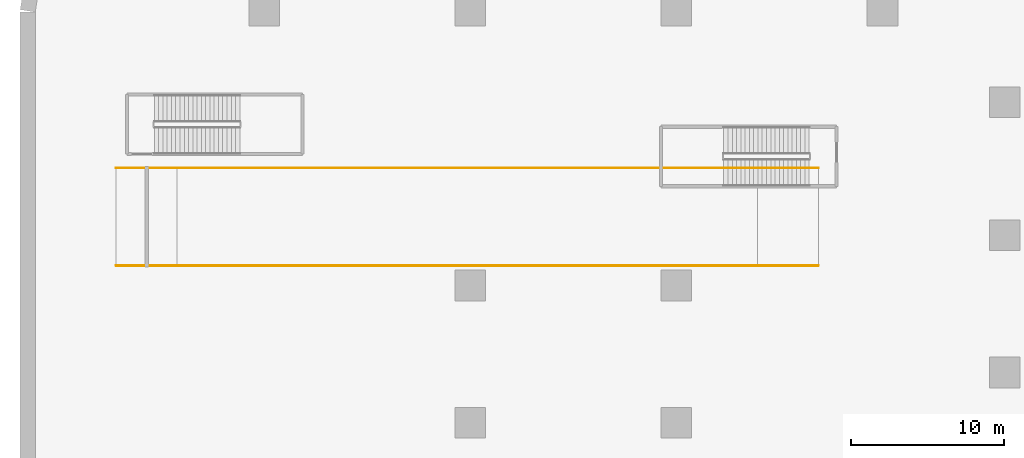
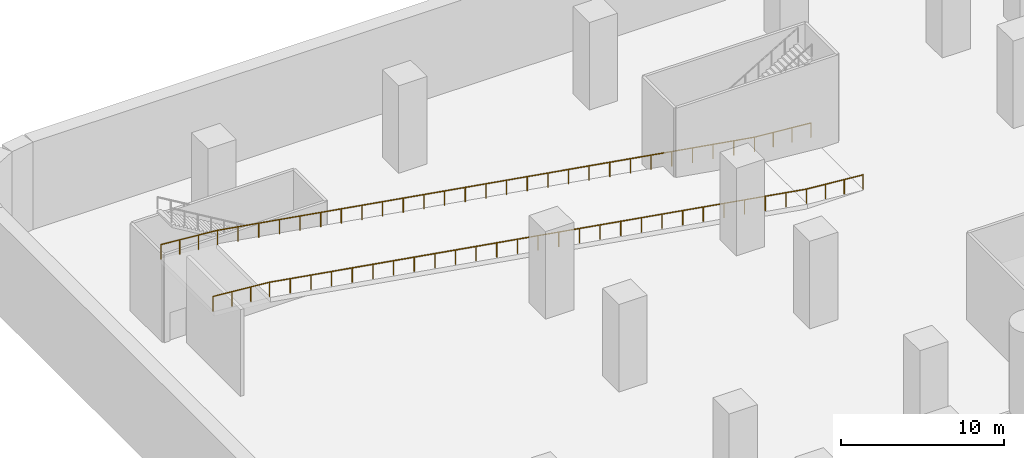
# One storey, part 24 of 30: 2 railings.
"""IFC4 building model written with IfcOpenShell, lengths in metres."""

from ifc_helpers import new_model, si_unit, direction, frame, origin, origin_2d, place, context, subcontext, project, spatial, circle, extrude, material, type_object, element, save


model = new_model("IFC4")

# Units and contexts
model_context = context("Model", 3, precision=1e-05, world=origin(), true_north=direction((0.0, 1.0)))
body_context = subcontext(model_context, "Body", "Model", "MODEL_VIEW")
ifc_project = project(units=[si_unit("LENGTHUNIT", "METRE"), si_unit("AREAUNIT", "SQUARE_METRE"), si_unit("VOLUMEUNIT", "CUBIC_METRE"), si_unit("PLANEANGLEUNIT", "RADIAN"), si_unit("MASSUNIT", "GRAM", prefix="KILO")], contexts=[model_context])

# Site, building, storey
site_placement = place(None, origin())
site = spatial("IfcSite", under=ifc_project, at=site_placement, CompositionType="ELEMENT")
building_placement = place(site_placement, origin())
building = spatial("IfcBuilding", under=site, at=building_placement, Name="Tamarind Cross Interchange Tower", CompositionType="ELEMENT")
storey_placement = place(building_placement, frame((0.0, 0.0, -14.0)))
storey = spatial("IfcBuildingStorey", under=building, at=storey_placement, Name="B2", CompositionType="ELEMENT", Elevation=-14.0)

# Railings
ifc_material = material(Name="Steel Q355B", Category="steel")
railing_type = type_object("IfcRailingType", Name="Car park ramp guard", PredefinedType="GUARDRAIL", material=ifc_material)
railing_1_placement = place(storey_placement, frame((-17.699951171875, 37.300048828125, 0.0)))
element("IfcRailing", 1, at=railing_1_placement, inside=storey, type_object=railing_type, Name="Car park ramp RB guard 1", PredefinedType="GUARDRAIL", context=body_context, shape_type="SweptSolid", body=[
    extrude(circle(Radius=0.02392578125, at=origin_2d()), frame((0.0, 0.0, 1.076171875), z_axis=(-0.996547435957, 0.0, 0.083025344854), x_axis=(0.0, -1.0, 0.0)), (0.0, 0.0, 1.0), 4.013916015625),
    extrude(circle(Radius=0.02392578125, at=origin_2d()), frame((-4.0, 0.0, 1.4091796875), z_axis=(-0.986393238706, 0.0, 0.164403098007), x_axis=(0.0, -1.0, 0.0)), (0.0, 0.0, 1.0), 38.524169921875),
    extrude(circle(Radius=0.02392578125, at=origin_2d()), frame((-42.0, 0.0, 7.74267578125), z_axis=(-0.996547435957, 0.0, 0.083025344854), x_axis=(0.0, -1.0, 0.0)), (0.0, 0.0, 1.0), 4.013916015625),
    extrude(circle(Radius=0.02099609375, at=origin_2d()), origin(), (0.0, 0.0, 1.0), 1.052001953125),
    extrude(circle(Radius=0.02099609375, at=origin_2d()), frame((-1.333251953125, 0.0, 0.111083984375)), (0.0, 0.0, 1.0), 1.052001953125),
    extrude(circle(Radius=0.02099609375, at=origin_2d()), frame((-2.666748046875, 0.0, 0.22216796875)), (0.0, 0.0, 1.0), 1.052001953125),
    extrude(circle(Radius=0.02099609375, at=origin_2d()), frame((-4.0, 0.0, 0.333251953125)), (0.0, 0.0, 1.0), 1.052001953125),
    extrude(circle(Radius=0.02099609375, at=origin_2d()), frame((-5.46142578125, 0.0, 0.576904296875)), (0.0, 0.0, 1.0), 1.052001953125),
    extrude(circle(Radius=0.02099609375, at=origin_2d()), frame((-6.923095703125, 0.0, 0.820556640625)), (0.0, 0.0, 1.0), 1.052001953125),
    extrude(circle(Radius=0.02099609375, at=origin_2d()), frame((-8.384521484375, 0.0, 1.06396484375)), (0.0, 0.0, 1.0), 1.052001953125),
    extrude(circle(Radius=0.02099609375, at=origin_2d()), frame((-9.84619140625, 0.0, 1.3076171875)), (0.0, 0.0, 1.0), 1.052001953125),
    extrude(circle(Radius=0.02099609375, at=origin_2d()), frame((-11.3076171875, 0.0, 1.55126953125)), (0.0, 0.0, 1.0), 1.052001953125),
    extrude(circle(Radius=0.02099609375, at=origin_2d()), frame((-12.769287109375, 0.0, 1.794921875)), (0.0, 0.0, 1.0), 1.052001953125),
    extrude(circle(Radius=0.02099609375, at=origin_2d()), frame((-14.230712890625, 0.0, 2.038330078125)), (0.0, 0.0, 1.0), 1.052001953125),
    extrude(circle(Radius=0.02099609375, at=origin_2d()), frame((-15.6923828125, 0.0, 2.281982421875)), (0.0, 0.0, 1.0), 1.052001953125),
    extrude(circle(Radius=0.02099609375, at=origin_2d()), frame((-17.15380859375, 0.0, 2.525634765625)), (0.0, 0.0, 1.0), 1.052001953125),
    extrude(circle(Radius=0.02099609375, at=origin_2d()), frame((-18.615478515625, 0.0, 2.769287109375)), (0.0, 0.0, 1.0), 1.052001953125),
    extrude(circle(Radius=0.02099609375, at=origin_2d()), frame((-20.076904296875, 0.0, 3.0126953125)), (0.0, 0.0, 1.0), 1.052001953125),
    extrude(circle(Radius=0.02099609375, at=origin_2d()), frame((-21.53857421875, 0.0, 3.25634765625)), (0.0, 0.0, 1.0), 1.052001953125),
    extrude(circle(Radius=0.02099609375, at=origin_2d()), frame((-23.0, 0.0, 3.5)), (0.0, 0.0, 1.0), 1.052001953125),
    extrude(circle(Radius=0.02099609375, at=origin_2d()), frame((-24.46142578125, 0.0, 3.74365234375)), (0.0, 0.0, 1.0), 1.052001953125),
    extrude(circle(Radius=0.02099609375, at=origin_2d()), frame((-25.923095703125, 0.0, 3.9873046875)), (0.0, 0.0, 1.0), 1.052001953125),
    extrude(circle(Radius=0.02099609375, at=origin_2d()), frame((-27.384521484375, 0.0, 4.230712890625)), (0.0, 0.0, 1.0), 1.052001953125),
    extrude(circle(Radius=0.02099609375, at=origin_2d()), frame((-28.84619140625, 0.0, 4.474365234375)), (0.0, 0.0, 1.0), 1.052001953125),
    extrude(circle(Radius=0.02099609375, at=origin_2d()), frame((-30.3076171875, 0.0, 4.718017578125)), (0.0, 0.0, 1.0), 1.052001953125),
    extrude(circle(Radius=0.02099609375, at=origin_2d()), frame((-31.769287109375, 0.0, 4.961669921875)), (0.0, 0.0, 1.0), 1.052001953125),
    extrude(circle(Radius=0.02099609375, at=origin_2d()), frame((-33.230712890625, 0.0, 5.205078125)), (0.0, 0.0, 1.0), 1.052001953125),
    extrude(circle(Radius=0.02099609375, at=origin_2d()), frame((-34.6923828125, 0.0, 5.44873046875)), (0.0, 0.0, 1.0), 1.052001953125),
    extrude(circle(Radius=0.02099609375, at=origin_2d()), frame((-36.15380859375, 0.0, 5.6923828125)), (0.0, 0.0, 1.0), 1.052001953125),
    extrude(circle(Radius=0.02099609375, at=origin_2d()), frame((-37.615478515625, 0.0, 5.93603515625)), (0.0, 0.0, 1.0), 1.052001953125),
    extrude(circle(Radius=0.02099609375, at=origin_2d()), frame((-39.076904296875, 0.0, 6.179443359375)), (0.0, 0.0, 1.0), 1.052001953125),
    extrude(circle(Radius=0.02099609375, at=origin_2d()), frame((-40.53857421875, 0.0, 6.423095703125)), (0.0, 0.0, 1.0), 1.052001953125),
    extrude(circle(Radius=0.02099609375, at=origin_2d()), frame((-42.0, 0.0, 6.666748046875)), (0.0, 0.0, 1.0), 1.052001953125),
    extrude(circle(Radius=0.02099609375, at=origin_2d()), frame((-43.333251953125, 0.0, 6.77783203125)), (0.0, 0.0, 1.0), 1.052001953125),
    extrude(circle(Radius=0.02099609375, at=origin_2d()), frame((-44.666748046875, 0.0, 6.888916015625)), (0.0, 0.0, 1.0), 1.052001953125),
    extrude(circle(Radius=0.02099609375, at=origin_2d()), frame((-46.0, 0.0, 7.0)), (0.0, 0.0, 1.0), 1.052001953125),
])
railing_2_placement = place(storey_placement, frame((-17.699951171875, 43.699951171875, 0.0)))
element("IfcRailing", 2, at=railing_2_placement, inside=storey, type_object=railing_type, Name="Car park ramp RB guard 2", PredefinedType="GUARDRAIL", context=body_context, shape_type="SweptSolid", body=[
    extrude(circle(Radius=0.02392578125, at=origin_2d()), frame((0.0, 0.0, 1.076171875), z_axis=(-0.996547435957, 0.0, 0.083025344854), x_axis=(0.0, -1.0, 0.0)), (0.0, 0.0, 1.0), 4.013916015625),
    extrude(circle(Radius=0.02392578125, at=origin_2d()), frame((-4.0, 0.0, 1.4091796875), z_axis=(-0.986393238706, 0.0, 0.164403098007), x_axis=(0.0, -1.0, 0.0)), (0.0, 0.0, 1.0), 38.524169921875),
    extrude(circle(Radius=0.02392578125, at=origin_2d()), frame((-42.0, 0.0, 7.74267578125), z_axis=(-0.996547435957, 0.0, 0.083025344854), x_axis=(0.0, -1.0, 0.0)), (0.0, 0.0, 1.0), 4.013916015625),
    extrude(circle(Radius=0.02099609375, at=origin_2d()), origin(), (0.0, 0.0, 1.0), 1.052001953125),
    extrude(circle(Radius=0.02099609375, at=origin_2d()), frame((-1.333251953125, 0.0, 0.111083984375)), (0.0, 0.0, 1.0), 1.052001953125),
    extrude(circle(Radius=0.02099609375, at=origin_2d()), frame((-2.666748046875, 0.0, 0.22216796875)), (0.0, 0.0, 1.0), 1.052001953125),
    extrude(circle(Radius=0.02099609375, at=origin_2d()), frame((-4.0, 0.0, 0.333251953125)), (0.0, 0.0, 1.0), 1.052001953125),
    extrude(circle(Radius=0.02099609375, at=origin_2d()), frame((-5.46142578125, 0.0, 0.576904296875)), (0.0, 0.0, 1.0), 1.052001953125),
    extrude(circle(Radius=0.02099609375, at=origin_2d()), frame((-6.923095703125, 0.0, 0.820556640625)), (0.0, 0.0, 1.0), 1.052001953125),
    extrude(circle(Radius=0.02099609375, at=origin_2d()), frame((-8.384521484375, 0.0, 1.06396484375)), (0.0, 0.0, 1.0), 1.052001953125),
    extrude(circle(Radius=0.02099609375, at=origin_2d()), frame((-9.84619140625, 0.0, 1.3076171875)), (0.0, 0.0, 1.0), 1.052001953125),
    extrude(circle(Radius=0.02099609375, at=origin_2d()), frame((-11.3076171875, 0.0, 1.55126953125)), (0.0, 0.0, 1.0), 1.052001953125),
    extrude(circle(Radius=0.02099609375, at=origin_2d()), frame((-12.769287109375, 0.0, 1.794921875)), (0.0, 0.0, 1.0), 1.052001953125),
    extrude(circle(Radius=0.02099609375, at=origin_2d()), frame((-14.230712890625, 0.0, 2.038330078125)), (0.0, 0.0, 1.0), 1.052001953125),
    extrude(circle(Radius=0.02099609375, at=origin_2d()), frame((-15.6923828125, 0.0, 2.281982421875)), (0.0, 0.0, 1.0), 1.052001953125),
    extrude(circle(Radius=0.02099609375, at=origin_2d()), frame((-17.15380859375, 0.0, 2.525634765625)), (0.0, 0.0, 1.0), 1.052001953125),
    extrude(circle(Radius=0.02099609375, at=origin_2d()), frame((-18.615478515625, 0.0, 2.769287109375)), (0.0, 0.0, 1.0), 1.052001953125),
    extrude(circle(Radius=0.02099609375, at=origin_2d()), frame((-20.076904296875, 0.0, 3.0126953125)), (0.0, 0.0, 1.0), 1.052001953125),
    extrude(circle(Radius=0.02099609375, at=origin_2d()), frame((-21.53857421875, 0.0, 3.25634765625)), (0.0, 0.0, 1.0), 1.052001953125),
    extrude(circle(Radius=0.02099609375, at=origin_2d()), frame((-23.0, 0.0, 3.5)), (0.0, 0.0, 1.0), 1.052001953125),
    extrude(circle(Radius=0.02099609375, at=origin_2d()), frame((-24.46142578125, 0.0, 3.74365234375)), (0.0, 0.0, 1.0), 1.052001953125),
    extrude(circle(Radius=0.02099609375, at=origin_2d()), frame((-25.923095703125, 0.0, 3.9873046875)), (0.0, 0.0, 1.0), 1.052001953125),
    extrude(circle(Radius=0.02099609375, at=origin_2d()), frame((-27.384521484375, 0.0, 4.230712890625)), (0.0, 0.0, 1.0), 1.052001953125),
    extrude(circle(Radius=0.02099609375, at=origin_2d()), frame((-28.84619140625, 0.0, 4.474365234375)), (0.0, 0.0, 1.0), 1.052001953125),
    extrude(circle(Radius=0.02099609375, at=origin_2d()), frame((-30.3076171875, 0.0, 4.718017578125)), (0.0, 0.0, 1.0), 1.052001953125),
    extrude(circle(Radius=0.02099609375, at=origin_2d()), frame((-31.769287109375, 0.0, 4.961669921875)), (0.0, 0.0, 1.0), 1.052001953125),
    extrude(circle(Radius=0.02099609375, at=origin_2d()), frame((-33.230712890625, 0.0, 5.205078125)), (0.0, 0.0, 1.0), 1.052001953125),
    extrude(circle(Radius=0.02099609375, at=origin_2d()), frame((-34.6923828125, 0.0, 5.44873046875)), (0.0, 0.0, 1.0), 1.052001953125),
    extrude(circle(Radius=0.02099609375, at=origin_2d()), frame((-36.15380859375, 0.0, 5.6923828125)), (0.0, 0.0, 1.0), 1.052001953125),
    extrude(circle(Radius=0.02099609375, at=origin_2d()), frame((-37.615478515625, 0.0, 5.93603515625)), (0.0, 0.0, 1.0), 1.052001953125),
    extrude(circle(Radius=0.02099609375, at=origin_2d()), frame((-39.076904296875, 0.0, 6.179443359375)), (0.0, 0.0, 1.0), 1.052001953125),
    extrude(circle(Radius=0.02099609375, at=origin_2d()), frame((-40.53857421875, 0.0, 6.423095703125)), (0.0, 0.0, 1.0), 1.052001953125),
    extrude(circle(Radius=0.02099609375, at=origin_2d()), frame((-42.0, 0.0, 6.666748046875)), (0.0, 0.0, 1.0), 1.052001953125),
    extrude(circle(Radius=0.02099609375, at=origin_2d()), frame((-43.333251953125, 0.0, 6.77783203125)), (0.0, 0.0, 1.0), 1.052001953125),
    extrude(circle(Radius=0.02099609375, at=origin_2d()), frame((-44.666748046875, 0.0, 6.888916015625)), (0.0, 0.0, 1.0), 1.052001953125),
    extrude(circle(Radius=0.02099609375, at=origin_2d()), frame((-46.0, 0.0, 7.0)), (0.0, 0.0, 1.0), 1.052001953125),
])

save(model, "model.ifc")
